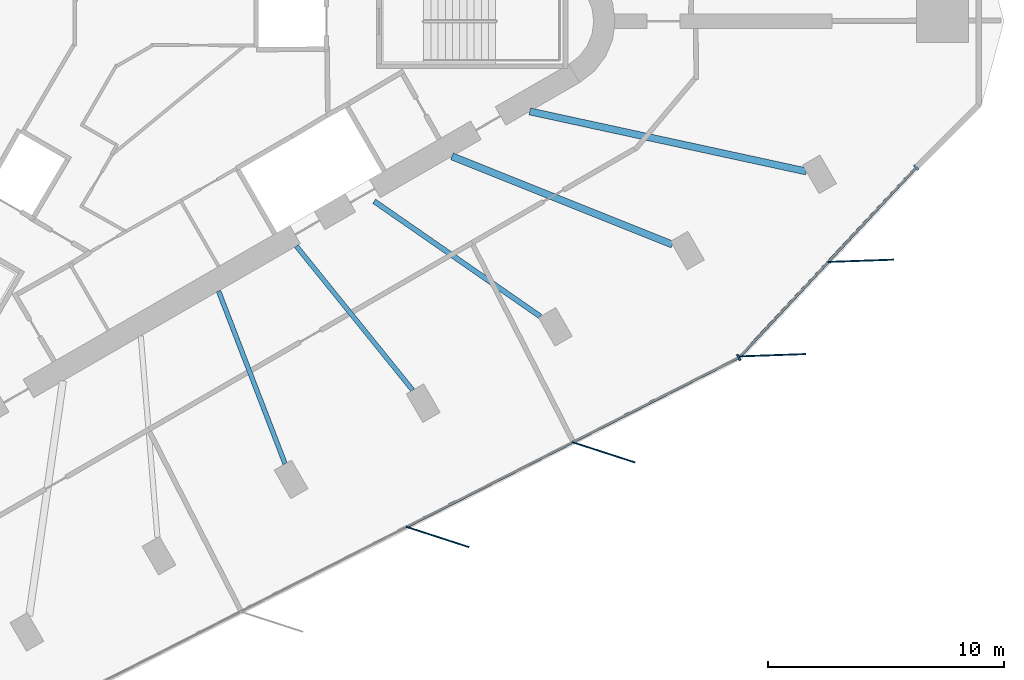
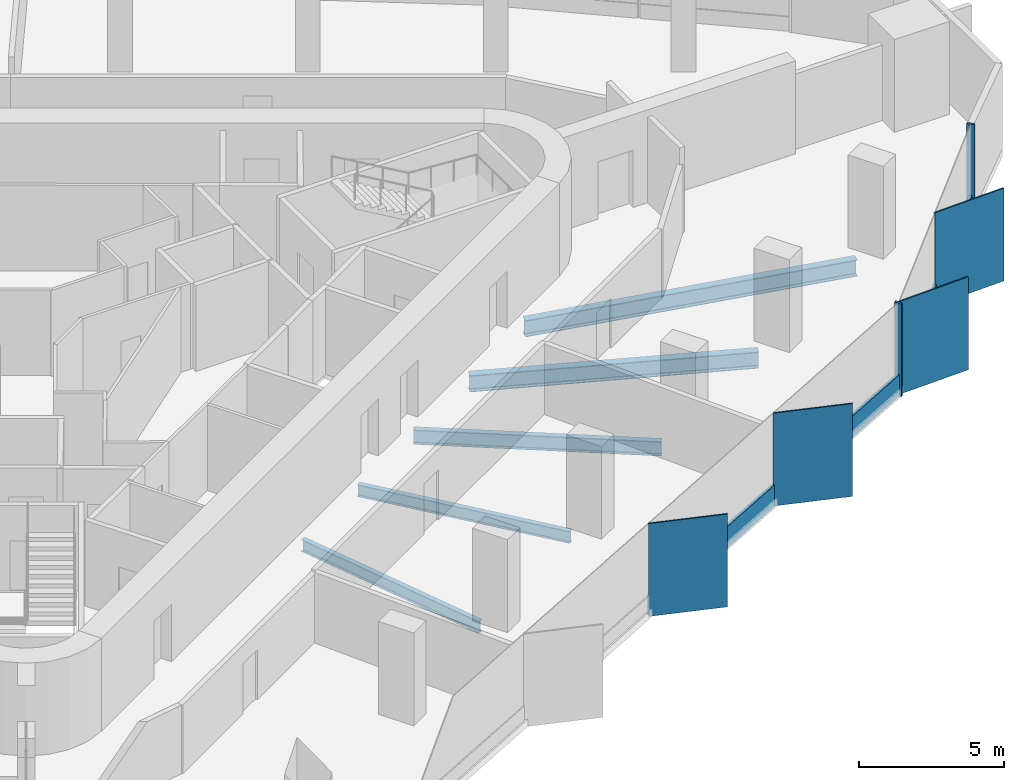
# One storey, part 3 of 13: 10 members, 5 beams, 2 elements without a shape of their own.
"""IFC4 building model written with IfcOpenShell, lengths in metres."""

from ifc_helpers import new_model, si_unit, direction, frame, origin, origin_2d, place, context, subcontext, project, spatial, rectangle, i_section, extrude, material, material_profile, profile_set, type_object, element, aggregate, save


model = new_model("IFC4")

# Units and contexts
model_context = context("Model", 3, precision=1e-05, world=origin(), true_north=direction((0.0, 1.0)))
body_context = subcontext(model_context, "Body", "Model", "MODEL_VIEW")
ifc_project = project(units=[si_unit("LENGTHUNIT", "METRE"), si_unit("AREAUNIT", "SQUARE_METRE"), si_unit("VOLUMEUNIT", "CUBIC_METRE"), si_unit("PLANEANGLEUNIT", "RADIAN"), si_unit("MASSUNIT", "GRAM", prefix="KILO")], contexts=[model_context])

# Site, building, storey
site_placement = place(None, origin())
site = spatial("IfcSite", under=ifc_project, at=site_placement, CompositionType="ELEMENT")
building_placement = place(site_placement, origin())
building = spatial("IfcBuilding", under=site, at=building_placement, Name="Tanit Gate Tower", CompositionType="ELEMENT")
storey_placement = place(building_placement, frame((0.0, 0.0, 318.199951171875)))
storey = spatial("IfcBuildingStorey", under=building, at=storey_placement, Name="L71", CompositionType="ELEMENT", Elevation=318.199951171875)

# Curtain wall, members
ifc_material_1 = material(Name="Aluminium bronze anodised and glass", Category="aluminium")
curtain_wall_type = type_object("IfcCurtainWallType", Name="Curtain wall typical high", PredefinedType="NOTDEFINED", material=ifc_material_1)
curtain_wall_1_placement = place(storey_placement, origin())
curtain_wall_1 = element("IfcCurtainWall", 1, at=curtain_wall_1_placement, inside=storey, type_object=curtain_wall_type, Name="Curtain wall L71 SE2", PredefinedType="NOTDEFINED")
ifc_material_2 = material(Name="Aluminium bronze anodised", Category="aluminium")
ifc_material_profile_1 = material_profile(ifc_material_2, rectangle(XDim=2.800048828125, YDim=0.055908203125, at=origin_2d()), Name="56x2800 bronze fin mullion")
ifc_profile_set_1 = profile_set([ifc_material_profile_1], Name="Aluminium bronze anodised")
member_type_1 = type_object("IfcMemberType", Name="FIN MULLION 56x2800 bronze", PredefinedType="MULLION", material=ifc_profile_set_1)
member_1_placement = place(storey_placement, frame((13.679443359375, -21.848388671875, -0.300048828125), z_axis=(0.0, 0.0, 1.0), x_axis=(-0.95115950718, 0.308699841109, 0.0)))
member_1 = element("IfcMember", 2, at=member_1_placement, type_object=member_type_1, Name="Fin mullion L71 SE2.3", PredefinedType="MULLION", context=body_context, shape_type="SweptSolid", body=[
    extrude(rectangle(XDim=2.800048828125, YDim=0.055908203125, at=origin_2d()), origin(), (0.0, 0.0, 1.0), 3.900146484375),
])
member_2_placement = place(storey_placement, frame((20.716552734375, -18.259765625, -0.300048828125), z_axis=(0.0, 0.0, 1.0), x_axis=(-0.95115950718, 0.308699841109, 0.0)))
member_2 = element("IfcMember", 3, at=member_2_placement, type_object=member_type_1, Name="Fin mullion L71 SE2.4", PredefinedType="MULLION", context=body_context, shape_type="SweptSolid", body=[
    extrude(rectangle(XDim=2.800048828125, YDim=0.055908203125, at=origin_2d()), origin(), (0.0, 0.0, 1.0), 3.900146484375),
])

curtain_wall_2_placement = place(storey_placement, origin())
curtain_wall_2 = element("IfcCurtainWall", 4, at=curtain_wall_2_placement, inside=storey, type_object=curtain_wall_type, Name="Curtain wall L71 SE3", PredefinedType="NOTDEFINED")
member_3_placement = place(storey_placement, frame((27.88330078125, -14.14892578125, -0.300048828125), z_axis=(0.0, 0.0, 1.0), x_axis=(-0.999378821077, -0.035241622859, 0.0)))
member_3 = element("IfcMember", 5, at=member_3_placement, type_object=member_type_1, Name="Fin mullion L71 SE3.1", PredefinedType="MULLION", context=body_context, shape_type="SweptSolid", body=[
    extrude(rectangle(XDim=2.800048828125, YDim=0.055908203125, at=origin_2d()), origin(), (0.0, 0.0, 1.0), 3.900146484375),
])
member_4_placement = place(storey_placement, frame((31.61181640625, -10.14794921875, -0.300048828125), z_axis=(0.0, 0.0, 1.0), x_axis=(-0.999378821077, -0.035241622859, 0.0)))
member_4 = element("IfcMember", 6, at=member_4_placement, type_object=member_type_1, Name="Fin mullion L71 SE3.2", PredefinedType="MULLION", context=body_context, shape_type="SweptSolid", body=[
    extrude(rectangle(XDim=2.800048828125, YDim=0.055908203125, at=origin_2d()), origin(), (0.0, 0.0, 1.0), 3.900146484375),
])

# Member
ifc_material_3 = material(Name="Aluminium bronze anodised", Category="aluminium")
ifc_material_profile_2 = material_profile(ifc_material_3, rectangle(XDim=0.280029296875, YDim=0.080078125, at=origin_2d()), Name="80x280 bronze mullion")
ifc_profile_set_2 = profile_set([ifc_material_profile_2], Name="Aluminium bronze anodised")
member_type_2 = type_object("IfcMemberType", Name="Mullion 80x280 typical high", PredefinedType="MULLION", material=ifc_profile_set_2)
member_5_placement = place(storey_placement, frame((26.441162109375, -14.2451171875, -0.300048828125), z_axis=(0.0, 0.0, 1.0), x_axis=(-0.454287586518, 0.890855088516, 0.0)))
member_5 = element("IfcMember", 7, at=member_5_placement, type_object=member_type_2, Name="Mullion L71 SE2.5", PredefinedType="MULLION", context=body_context, shape_type="SweptSolid", body=[
    extrude(rectangle(XDim=0.280029296875, YDim=0.080078125, at=origin_2d()), origin(), (0.0, 0.0, 1.0), 3.900146484375),
])

member_6_placement = place(storey_placement, frame((33.961181640625, -6.1953125, -0.300048828125), z_axis=(0.0, 0.0, 1.0), x_axis=(-0.731587131862, 0.681747950854, 0.0)))
member_6 = element("IfcMember", 8, at=member_6_placement, type_object=member_type_2, Name="Mullion L71 SE3.3", PredefinedType="MULLION", context=body_context, shape_type="SweptSolid", body=[
    extrude(rectangle(XDim=0.280029296875, YDim=0.080078125, at=origin_2d()), origin(), (0.0, 0.0, 1.0), 3.900146484375),
])

# Beams
ifc_material_4 = material(Name="Steel S355", Category="steel")
ifc_material_profile_3 = material_profile(ifc_material_4, i_section(OverallWidth=0.300048828125, OverallDepth=0.68994140625, WebThickness=0.014404296875, FlangeThickness=0.027099609375, FilletRadius=0.027099609375, at=origin_2d()), Name="HEA 700")
ifc_profile_set_3 = profile_set([ifc_material_profile_3], Name="Steel S355")
beam_type_1 = type_object("IfcBeamType", Name="RADIAL GIRDER HEA 700 S355", PredefinedType="BEAM", material=ifc_profile_set_3)
beam_1_placement = place(storey_placement, frame((23.631103515625, -9.461181640625, -0.64501953125), z_axis=(-0.928359475125, 0.371683581753, 0.0), x_axis=(-0.371683581753, -0.928359475125, 0.0)))
element("IfcBeam", 9, at=beam_1_placement, inside=storey, type_object=beam_type_1, Name="RADIAL GIRDER", PredefinedType="BEAM", context=body_context, shape_type="SweptSolid", body=[
    extrude(i_section(OverallWidth=0.300048828125, OverallDepth=0.68994140625, WebThickness=0.014404296875, FlangeThickness=0.027099609375, FilletRadius=0.027099609375, at=origin_2d()), origin(), (0.0, 0.0, 1.0), 10.05908203125),
])
beam_2_placement = place(storey_placement, frame((29.306396484375, -6.36279296875, -0.64501953125), z_axis=(-0.977231463817, 0.212176026275, 0.0), x_axis=(-0.212176026275, -0.977231463817, 0.0)))
element("IfcBeam", 10, at=beam_2_placement, inside=storey, type_object=beam_type_1, Name="RADIAL GIRDER", PredefinedType="BEAM", context=body_context, shape_type="SweptSolid", body=[
    extrude(i_section(OverallWidth=0.300048828125, OverallDepth=0.68994140625, WebThickness=0.014404296875, FlangeThickness=0.027099609375, FilletRadius=0.027099609375, at=origin_2d()), origin(), (0.0, 0.0, 1.0), 11.98974609375),
])
ifc_material_5 = material(Name="Steel S355", Category="steel")
ifc_material_profile_4 = material_profile(ifc_material_5, i_section(OverallWidth=0.199951171875, OverallDepth=0.5, WebThickness=0.01025390625, FlangeThickness=0.01611328125, FilletRadius=0.02099609375, at=origin_2d()), Name="IPE 500")
ifc_profile_set_4 = profile_set([ifc_material_profile_4], Name="Steel S355")
beam_type_2 = type_object("IfcBeamType", Name="RADIAL GIRDER IPE 500 S355", PredefinedType="BEAM", material=ifc_profile_set_4)
beam_3_placement = place(storey_placement, frame((7.22119140625, -18.751220703125, -0.550048828125), z_axis=(-0.359385809885, 0.933189069617, 0.0), x_axis=(-0.933189069617, -0.359385809885, 0.0)))
element("IfcBeam", 11, at=beam_3_placement, inside=storey, type_object=beam_type_2, Name="RADIAL GIRDER", PredefinedType="BEAM", context=body_context, shape_type="SweptSolid", body=[
    extrude(i_section(OverallWidth=0.199951171875, OverallDepth=0.5, WebThickness=0.01025390625, FlangeThickness=0.01611328125, FilletRadius=0.02099609375, at=origin_2d()), origin(), (0.0, 0.0, 1.0), 7.8427734375),
])
beam_4_placement = place(storey_placement, frame((12.62841796875, -15.62939453125, -0.550048828125), z_axis=(-0.628491429151, 0.777816510164, 0.0), x_axis=(-0.777816510164, -0.628491429151, 0.0)))
element("IfcBeam", 12, at=beam_4_placement, inside=storey, type_object=beam_type_2, Name="RADIAL GIRDER", PredefinedType="BEAM", context=body_context, shape_type="SweptSolid", body=[
    extrude(i_section(OverallWidth=0.199951171875, OverallDepth=0.5, WebThickness=0.01025390625, FlangeThickness=0.01611328125, FilletRadius=0.02099609375, at=origin_2d()), origin(), (0.0, 0.0, 1.0), 7.843017578125),
])
ifc_material_6 = material(Name="Steel S355", Category="steel")
ifc_material_profile_5 = material_profile(ifc_material_6, i_section(OverallWidth=0.219970703125, OverallDepth=0.60009765625, WebThickness=0.011962890625, FlangeThickness=0.01904296875, FilletRadius=0.02392578125, at=origin_2d()), Name="IPE 600")
ifc_profile_set_5 = profile_set([ifc_material_profile_5], Name="Steel S355")
beam_type_3 = type_object("IfcBeamType", Name="RADIAL GIRDER IPE 600 S355", PredefinedType="BEAM", material=ifc_profile_set_5)
beam_5_placement = place(storey_placement, frame((18.03564453125, -12.50732421875, -0.599853515625), z_axis=(-0.821738455581, 0.569864817847, 0.0), x_axis=(-0.569864817847, -0.821738455581, 0.0)))
element("IfcBeam", 13, at=beam_5_placement, inside=storey, type_object=beam_type_3, Name="RADIAL GIRDER", PredefinedType="BEAM", context=body_context, shape_type="SweptSolid", body=[
    extrude(i_section(OverallWidth=0.219970703125, OverallDepth=0.60009765625, WebThickness=0.011962890625, FlangeThickness=0.01904296875, FilletRadius=0.02392578125, at=origin_2d()), origin(), (0.0, 0.0, 1.0), 8.566650390625),
])

# Member
ifc_material_7 = material(Name="Aluminium bronze anodised", Category="aluminium")
ifc_material_profile_6 = material_profile(ifc_material_7, rectangle(XDim=0.1201171875, YDim=0.89990234375, at=origin_2d()), Name="120x900 bronze transom")
ifc_profile_set_6 = profile_set([ifc_material_profile_6], Name="Aluminium bronze anodised")
member_type_3 = type_object("IfcMemberType", Name="Transom 120x900 typical high", PredefinedType="USERDEFINED", material=ifc_profile_set_6)
member_7_placement = place(storey_placement, frame((12.402099609375, -21.404296875, 0.150146484375), z_axis=(0.890845944364, 0.454305517697, 0.0), x_axis=(-0.454305517697, 0.890845944364, 0.0)))
member_7 = element("IfcMember", 14, at=member_7_placement, type_object=member_type_3, Name="Transom L71 SE2.3", ObjectType="TRANSOM", PredefinedType="USERDEFINED", context=body_context, shape_type="SweptSolid", body=[
    extrude(rectangle(XDim=0.1201171875, YDim=0.89990234375, at=origin_2d()), origin(), (0.0, 0.0, 1.0), 7.819580078125),
])

member_8_placement = place(storey_placement, frame((19.439453125, -17.8154296875, 0.150146484375), z_axis=(0.890858580088, 0.454280739504, 0.0), x_axis=(-0.454280739504, 0.890858580088, 0.0)))
member_8 = element("IfcMember", 15, at=member_8_placement, type_object=member_type_3, Name="Transom L71 SE2.4", ObjectType="TRANSOM", PredefinedType="USERDEFINED", context=body_context, shape_type="SweptSolid", body=[
    extrude(rectangle(XDim=0.1201171875, YDim=0.89990234375, at=origin_2d()), origin(), (0.0, 0.0, 1.0), 7.819580078125),
])

aggregate(curtain_wall_1, [member_1, member_2, member_5, member_7, member_8])

member_9_placement = place(storey_placement, frame((26.53125, -14.16845703125, 0.150146484375), z_axis=(0.681751500039, 0.731583824449, 0.0), x_axis=(-0.731583824449, 0.681751500039, 0.0)))
member_9 = element("IfcMember", 16, at=member_9_placement, type_object=member_type_3, Name="Transom L71 SE3.1", ObjectType="TRANSOM", PredefinedType="USERDEFINED", context=body_context, shape_type="SweptSolid", body=[
    extrude(rectangle(XDim=0.1201171875, YDim=0.89990234375, at=origin_2d()), origin(), (0.0, 0.0, 1.0), 5.38916015625),
])

member_10_placement = place(storey_placement, frame((30.259765625, -10.167236328125, 0.150146484375), z_axis=(0.681751500039, 0.731583824449, 0.0), x_axis=(-0.731583824449, 0.681751500039, 0.0)))
member_10 = element("IfcMember", 17, at=member_10_placement, type_object=member_type_3, Name="Transom L71 SE3.2", ObjectType="TRANSOM", PredefinedType="USERDEFINED", context=body_context, shape_type="SweptSolid", body=[
    extrude(rectangle(XDim=0.1201171875, YDim=0.89990234375, at=origin_2d()), origin(), (0.0, 0.0, 1.0), 5.38916015625),
])

aggregate(curtain_wall_2, [member_3, member_4, member_6, member_9, member_10])

save(model, "model.ifc")
